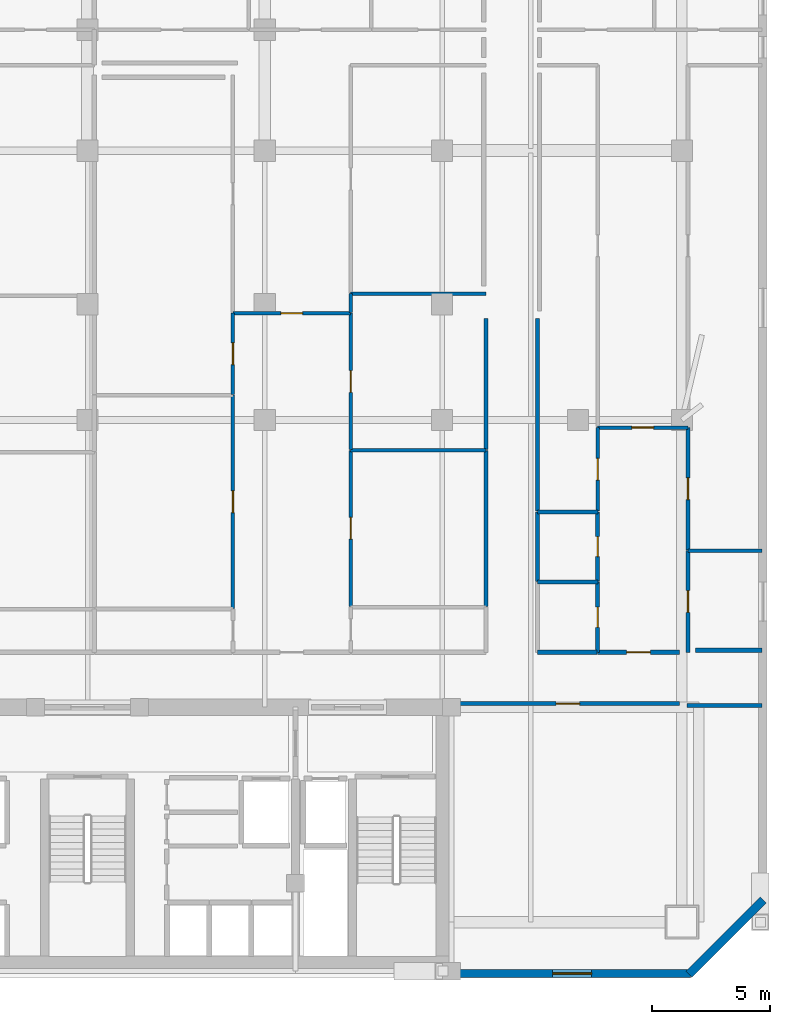
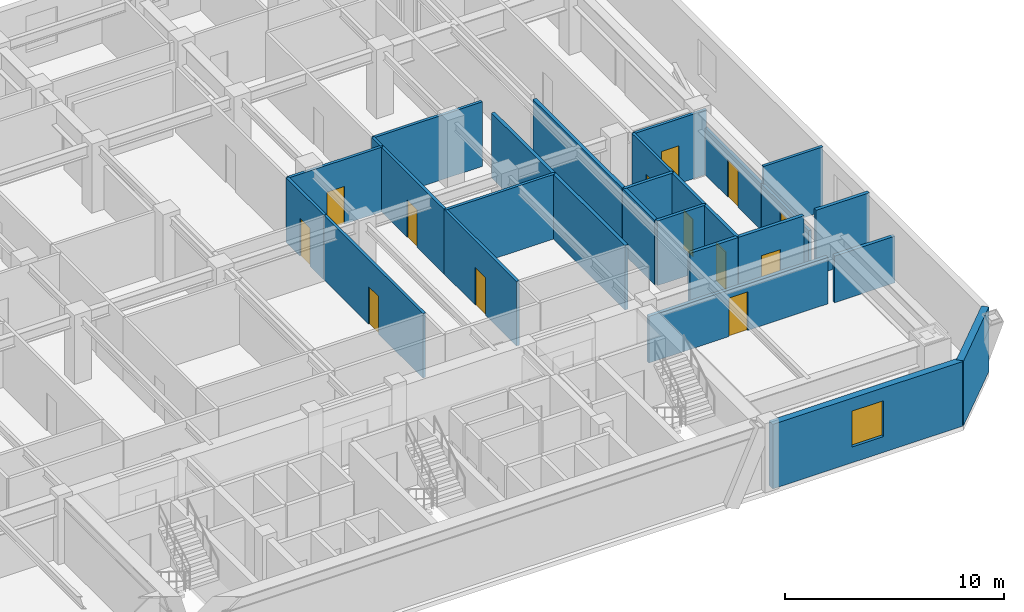
# One storey, part 6 of 10: 28 walls, 13 doors, 1 window, 14 openings.
"""IFC4 building model written with IfcOpenShell, lengths in metres."""

from ifc_helpers import new_model, si_unit, direction, frame, frame_2d, origin, place, context, subcontext, project, spatial, rectangle, extrude, material, layer, layer_set, type_object, element, fill, save


model = new_model("IFC4")

# Units and contexts
model_context = context("Model", 3, precision=1e-05, world=origin(), true_north=direction((0.0, 1.0)))
body_context = subcontext(model_context, "Body", "Model", "MODEL_VIEW")
ifc_project = project(units=[si_unit("LENGTHUNIT", "METRE"), si_unit("AREAUNIT", "SQUARE_METRE"), si_unit("VOLUMEUNIT", "CUBIC_METRE"), si_unit("PLANEANGLEUNIT", "RADIAN"), si_unit("MASSUNIT", "GRAM", prefix="KILO")], contexts=[model_context])

# Site, building, storey
site_placement = place(None, origin())
site = spatial("IfcSite", under=ifc_project, at=site_placement, CompositionType="ELEMENT")
building_placement = place(site_placement, origin())
building = spatial("IfcBuilding", under=site, at=building_placement, Name="Ventersveld Concourse Tower", CompositionType="ELEMENT")
storey_placement = place(building_placement, frame((0.0, 0.0, 88.75)))
storey = spatial("IfcBuildingStorey", under=building, at=storey_placement, Name="L21", CompositionType="ELEMENT", Elevation=88.75)

# Wall, opening, door
ifc_material_1 = material(Name="Fire-rated autoclaved aerated masonry blockwork", Category="masonry")
ifc_layer_1 = layer(ifc_material_1, 0.179931640625)
ifc_layer_set_1 = layer_set([ifc_layer_1], Name="Fire-rated autoclaved aerated masonry blockwork")
wall_type_1 = type_object("IfcWallType", Name="WL-CORR-180", PredefinedType="PARTITIONING", material=ifc_layer_set_1)
wall_1_placement = place(storey_placement, frame((44.35498046875, 11.60009765625, 0.0), z_axis=(0.0, 0.0, 1.0), x_axis=(1.0, 0.0, 0.0)))
wall_1 = element("IfcWall", 1, at=wall_1_placement, inside=storey, type_object=wall_type_1, Name="L21 Interior Partition SP-L21-SE-OFF-SP-L21-COR", PredefinedType="PARTITIONING", context=body_context, shape_type="SweptSolid", body=[
    extrude(rectangle(XDim=9.43994140625, YDim=0.179931640625, at=frame_2d((4.719970703125, 0.0))), origin(), (0.0, 0.0, 1.0), 2.60009765625),
])
opening_1_placement = place(wall_1_placement, frame((4.219970703125, 0.0, 0.0)))
opening_1 = element("IfcOpeningElement", 2, at=opening_1_placement, cuts=wall_1, Name="Opening FD3", PredefinedType="OPENING", context=body_context, shape_type="SweptSolid", body=[
    extrude(rectangle(XDim=1.0, YDim=2.14990234375, at=frame_2d((0.5, 1.074951171875))), frame((0.0, 0.10009765625, 0.0), z_axis=(0.0, -1.0, 0.0), x_axis=(1.0, 0.0, 0.0)), (0.0, 0.0, 1.0), 0.199951171875),
])
ifc_material_2 = material(Name="Solid-core hardwood veneer timber", Category="wood")
door_type_1 = type_object("IfcDoorType", Name="DR-FLAT-100", OperationType="NOTDEFINED", PredefinedType="DOOR", material=ifc_material_2)
door_1_placement = place(opening_1_placement, origin())
door_1 = element("IfcDoor", 3, at=door_1_placement, inside=storey, type_object=door_type_1, Name="L21 Interior Door SP-L21-SE-OFF to SP-L21-COR (D-L21-1009)", OperationType="SINGLE_SWING_LEFT", OverallHeight=2.14990234375, OverallWidth=1.0, PredefinedType="DOOR", context=body_context, shape_type="SweptSolid", body=[
    extrude(rectangle(XDim=1.0, YDim=2.14990234375, at=frame_2d((0.5, 1.074951171875))), frame((0.0, 0.02490234375, 0.0), z_axis=(0.0, -1.0, 0.0), x_axis=(1.0, 0.0, 0.0)), (0.0, 0.0, 1.0), 0.050048828125),
])
fill(opening_1, door_1)

wall_2_placement = place(storey_placement, frame((50.33203125, 13.77001953125, 0.0), z_axis=(0.0, 0.0, 1.0), x_axis=(1.0, 0.0, 0.0)))
wall_2 = element("IfcWall", 4, at=wall_2_placement, inside=storey, type_object=wall_type_1, Name="L21 Interior Partition SP-L21-COR-SP-L21-21NE-FOY", PredefinedType="PARTITIONING", context=body_context, shape_type="SweptSolid", body=[
    extrude(rectangle(XDim=3.462890625, YDim=0.179931640625, at=frame_2d((1.7314453125, 0.0))), origin(), (0.0, 0.0, 1.0), 3.60009765625),
])
opening_2_placement = place(wall_2_placement, frame((1.2314453125, 0.0, 0.0)))
opening_2 = element("IfcOpeningElement", 5, at=opening_2_placement, cuts=wall_2, Name="Opening FD3", PredefinedType="OPENING", context=body_context, shape_type="SweptSolid", body=[
    extrude(rectangle(XDim=1.0, YDim=2.14990234375, at=frame_2d((0.5, 1.074951171875))), frame((0.0, 0.10009765625, 0.0), z_axis=(0.0, -1.0, 0.0), x_axis=(1.0, 0.0, 0.0)), (0.0, 0.0, 1.0), 0.199951171875),
])
door_2_placement = place(opening_2_placement, origin())
door_2 = element("IfcDoor", 6, at=door_2_placement, inside=storey, type_object=door_type_1, Name="L21 Interior Door SP-L21-COR to SP-L21-21NE-FOY (FD-L21-1011)", OperationType="SINGLE_SWING_LEFT", OverallHeight=2.14990234375, OverallWidth=1.0, PredefinedType="DOOR", context=body_context, shape_type="SweptSolid", body=[
    extrude(rectangle(XDim=1.0, YDim=2.14990234375, at=frame_2d((0.5, 1.074951171875))), frame((0.0, 0.02490234375, 0.0), z_axis=(0.0, -1.0, 0.0), x_axis=(1.0, 0.0, 0.0)), (0.0, 0.0, 1.0), 0.050048828125),
])
fill(opening_2, door_2)

# Walls
wall_3_placement = place(storey_placement, frame((47.784912109375, 13.77001953125, 0.0), z_axis=(0.0, 0.0, 1.0), x_axis=(1.0, 0.0, 0.0)))
element("IfcWall", 7, at=wall_3_placement, inside=storey, type_object=wall_type_1, Name="L21 Interior Partition SP-L21-COR-SP-L21-21NE-BATH", PredefinedType="PARTITIONING", context=body_context, shape_type="SweptSolid", body=[
    extrude(rectangle(XDim=2.51708984375, YDim=0.179931640625, at=frame_2d((1.258544921875, 0.0))), origin(), (0.0, 0.0, 1.0), 3.60009765625),
])
wall_4_placement = place(storey_placement, frame((47.7900390625, 16.773193359375, 0.0), z_axis=(0.0, 0.0, 1.0), x_axis=(0.0, 1.0, 0.0)))
element("IfcWall", 8, at=wall_4_placement, inside=storey, type_object=wall_type_1, Name="L21 Interior Partition SP-L21-COR-SP-L21-21NE-PWDL0", PredefinedType="PARTITIONING", context=body_context, shape_type="SweptSolid", body=[
    extrude(rectangle(XDim=2.938232421875, YDim=0.179931640625, at=frame_2d((1.46923828125, 0.0))), origin(), (0.0, 0.0, 1.0), 3.60009765625),
])
wall_5_placement = place(storey_placement, frame((47.7900390625, 19.741455078125, 0.0), z_axis=(0.0, 0.0, 1.0), x_axis=(0.0, 1.0, 0.0)))
element("IfcWall", 9, at=wall_5_placement, inside=storey, type_object=wall_type_1, Name="L21 Interior Partition SP-L21-COR-SP-L21-21NE-DENL", PredefinedType="PARTITIONING", context=body_context, shape_type="SweptSolid", body=[
    extrude(rectangle(XDim=8.153564453125, YDim=0.179931640625, at=frame_2d((4.07666015625, 0.0))), origin(), (0.0, 0.0, 1.0), 3.60009765625),
])
wall_6_placement = place(storey_placement, frame((45.610107421875, 15.715087890625, 0.0), z_axis=(0.0, 0.0, 1.0), x_axis=(0.0, 1.0, 0.0)))
element("IfcWall", 10, at=wall_6_placement, inside=storey, type_object=wall_type_1, Name="L21 Interior Partition SP-L21-COR-SP-L21-21N2-DENR", PredefinedType="PARTITIONING", context=body_context, shape_type="SweptSolid", body=[
    extrude(rectangle(XDim=6.60302734375, YDim=0.179931640625, at=frame_2d((3.301513671875, 0.0))), origin(), (0.0, 0.0, 1.0), 3.60009765625),
])
wall_7_placement = place(storey_placement, frame((45.610107421875, 22.34814453125, 0.0), z_axis=(0.0, 0.0, 1.0), x_axis=(0.0, 1.0, 0.0)))
element("IfcWall", 11, at=wall_7_placement, inside=storey, type_object=wall_type_1, Name="L21 Interior Partition SP-L21-COR-SP-L21-21N2-DENS", PredefinedType="PARTITIONING", context=body_context, shape_type="SweptSolid", body=[
    extrude(rectangle(XDim=5.546875, YDim=0.179931640625, at=frame_2d((2.7734375, 0.0))), origin(), (0.0, 0.0, 1.0), 3.60009765625),
])
wall_8_placement = place(storey_placement, frame((54.1123046875, 11.52001953125, 0.0), z_axis=(0.0, 0.0, 1.0), x_axis=(1.0, 0.0, 0.0)))
element("IfcWall", 12, at=wall_8_placement, inside=storey, type_object=wall_type_1, Name="L21 Room Enclosure Wall SP-L21-SE-OFF", PredefinedType="PARTITIONING", context=body_context, shape_type="SweptSolid", body=[
    extrude(rectangle(XDim=3.177734375, YDim=0.179931640625, at=frame_2d((1.5888671875, 0.0))), origin(), (0.0, 0.0, 1.0), 2.60009765625),
])
wall_9_placement = place(storey_placement, frame((57.2900390625, 13.860107421875, 0.0), z_axis=(0.0, 0.0, 1.0), x_axis=(-1.0, 0.0, 0.0)))
element("IfcWall", 13, at=wall_9_placement, inside=storey, type_object=wall_type_1, Name="L21 Room Enclosure Wall SP-L21-21NE-KIT", PredefinedType="PARTITIONING", context=body_context, shape_type="SweptSolid", body=[
    extrude(rectangle(XDim=2.805908203125, YDim=0.179931640625, at=frame_2d((1.40283203125, 0.0))), origin(), (0.0, 0.0, 1.0), 3.60009765625),
])

# Wall, opening, door
ifc_material_3 = material(Name="Autoclaved aerated masonry blockwork", Category="masonry")
ifc_layer_2 = layer(ifc_material_3, 0.14990234375)
ifc_layer_set_2 = layer_set([ifc_layer_2], Name="Autoclaved aerated masonry blockwork")
wall_type_2 = type_object("IfcWallType", Name="WL-INT-150", PredefinedType="PARTITIONING", material=ifc_layer_set_2)
wall_10_placement = place(storey_placement, frame((50.33203125, 23.2822265625, 0.0), z_axis=(0.0, 0.0, 1.0), x_axis=(1.0, 0.0, 0.0)))
wall_10 = element("IfcWall", 14, at=wall_10_placement, inside=storey, type_object=wall_type_2, Name="L21 Interior Partition SP-L21-21NE-FOY-SP-L21-21NE-LIV", PredefinedType="PARTITIONING", context=body_context, shape_type="SweptSolid", body=[
    extrude(rectangle(XDim=3.83203125, YDim=0.14990234375, at=frame_2d((1.916015625, 0.0))), origin(), (0.0, 0.0, 1.0), 3.60009765625),
])
opening_3_placement = place(wall_10_placement, frame((1.4560546875, 0.0, 0.0)))
opening_3 = element("IfcOpeningElement", 15, at=opening_3_placement, cuts=wall_10, Name="Opening ID1", PredefinedType="OPENING", context=body_context, shape_type="SweptSolid", body=[
    extrude(rectangle(XDim=0.919921875, YDim=2.10009765625, at=frame_2d((0.4599609375, 1.050048828125))), frame((0.0, 0.0849609375, 0.0), z_axis=(0.0, -1.0, 0.0), x_axis=(1.0, 0.0, 0.0)), (0.0, 0.0, 1.0), 0.169921875),
])
door_type_2 = type_object("IfcDoorType", Name="DR-ROOM-092", OperationType="NOTDEFINED", PredefinedType="DOOR", material=ifc_material_2)
door_3_placement = place(opening_3_placement, origin())
door_3 = element("IfcDoor", 16, at=door_3_placement, inside=storey, type_object=door_type_2, Name="L21 Interior Door SP-L21-21NE-FOY to SP-L21-21NE-LIV (D-L21-1025)", OperationType="SINGLE_SWING_LEFT", OverallHeight=2.10009765625, OverallWidth=0.919921875, PredefinedType="DOOR", context=body_context, shape_type="SweptSolid", body=[
    extrude(rectangle(XDim=0.919921875, YDim=2.10009765625, at=frame_2d((0.4599609375, 1.050048828125))), frame((0.0, 0.02490234375, 0.0), z_axis=(0.0, -1.0, 0.0), x_axis=(1.0, 0.0, 0.0)), (0.0, 0.0, 1.0), 0.050048828125),
])
fill(opening_3, door_3)

wall_11_placement = place(storey_placement, frame((50.337158203125, 19.741455078125, 0.0), z_axis=(0.0, 0.0, 1.0), x_axis=(0.0, 1.0, 0.0)))
wall_11 = element("IfcWall", 17, at=wall_11_placement, inside=storey, type_object=wall_type_2, Name="L21 Interior Partition SP-L21-21NE-FOY-SP-L21-21NE-DENL", PredefinedType="PARTITIONING", context=body_context, shape_type="SweptSolid", body=[
    extrude(rectangle(XDim=3.545654296875, YDim=0.14990234375, at=frame_2d((1.77294921875, 0.0))), origin(), (0.0, 0.0, 1.0), 3.60009765625),
])
opening_4_placement = place(wall_11_placement, frame((1.31298828125, 0.0, 0.0)))
opening_4 = element("IfcOpeningElement", 18, at=opening_4_placement, cuts=wall_11, Name="Opening ID1", PredefinedType="OPENING", context=body_context, shape_type="SweptSolid", body=[
    extrude(rectangle(XDim=0.919921875, YDim=2.10009765625, at=frame_2d((0.4599609375, 1.050048828125))), frame((0.0, 0.0849609375, 0.0), z_axis=(0.0, -1.0, 0.0), x_axis=(1.0, 0.0, 0.0)), (0.0, 0.0, 1.0), 0.169921875),
])
door_4_placement = place(opening_4_placement, origin())
door_4 = element("IfcDoor", 19, at=door_4_placement, inside=storey, type_object=door_type_2, Name="L21 Interior Door SP-L21-21NE-FOY to SP-L21-21NE-DENL (D-L21-1028)", OperationType="SINGLE_SWING_RIGHT", OverallHeight=2.10009765625, OverallWidth=0.919921875, PredefinedType="DOOR", context=body_context, shape_type="SweptSolid", body=[
    extrude(rectangle(XDim=0.919921875, YDim=2.10009765625, at=frame_2d((0.4599609375, 1.050048828125))), frame((0.0, 0.02490234375, 0.0), z_axis=(0.0, -1.0, 0.0), x_axis=(1.0, 0.0, 0.0)), (0.0, 0.0, 1.0), 0.050048828125),
])
fill(opening_4, door_4)

wall_12_placement = place(storey_placement, frame((54.1591796875, 13.764892578125, 0.0), z_axis=(0.0, 0.0, 1.0), x_axis=(0.0, 1.0, 0.0)))
wall_12 = element("IfcWall", 20, at=wall_12_placement, inside=storey, type_object=wall_type_2, Name="L21 Interior Partition SP-L21-21NE-FOY-SP-L21-21NE-KIT", PredefinedType="PARTITIONING", context=body_context, shape_type="SweptSolid", body=[
    extrude(rectangle(XDim=4.30859375, YDim=0.14990234375, at=frame_2d((2.154296875, 0.0))), origin(), (0.0, 0.0, 1.0), 2.60009765625),
])
opening_5_placement = place(wall_12_placement, frame((1.6943359375, 0.0, 0.0)))
opening_5 = element("IfcOpeningElement", 21, at=opening_5_placement, cuts=wall_12, Name="Opening ID1", PredefinedType="OPENING", context=body_context, shape_type="SweptSolid", body=[
    extrude(rectangle(XDim=0.919921875, YDim=2.10009765625, at=frame_2d((0.4599609375, 1.050048828125))), frame((0.0, 0.0849609375, 0.0), z_axis=(0.0, -1.0, 0.0), x_axis=(1.0, 0.0, 0.0)), (0.0, 0.0, 1.0), 0.169921875),
])
door_5_placement = place(opening_5_placement, origin())
door_5 = element("IfcDoor", 22, at=door_5_placement, inside=storey, type_object=door_type_2, Name="L21 Interior Door SP-L21-21NE-FOY to SP-L21-21NE-KIT (D-L21-1029)", OperationType="SINGLE_SWING_LEFT", OverallHeight=2.10009765625, OverallWidth=0.919921875, PredefinedType="DOOR", context=body_context, shape_type="SweptSolid", body=[
    extrude(rectangle(XDim=0.919921875, YDim=2.10009765625, at=frame_2d((0.4599609375, 1.050048828125))), frame((0.0, 0.02490234375, 0.0), z_axis=(0.0, -1.0, 0.0), x_axis=(1.0, 0.0, 0.0)), (0.0, 0.0, 1.0), 0.050048828125),
])
fill(opening_5, door_5)

wall_13_placement = place(storey_placement, frame((54.1591796875, 18.103515625, 0.0), z_axis=(0.0, 0.0, 1.0), x_axis=(0.0, 1.0, 0.0)))
wall_13 = element("IfcWall", 23, at=wall_13_placement, inside=storey, type_object=wall_type_2, Name="L21 Interior Partition SP-L21-21NE-FOY-SP-L21-21NE-DENR", PredefinedType="PARTITIONING", context=body_context, shape_type="SweptSolid", body=[
    extrude(rectangle(XDim=5.18359375, YDim=0.14990234375, at=frame_2d((2.591796875, 0.0))), origin(), (0.0, 0.0, 1.0), 2.60009765625),
])
opening_6_placement = place(wall_13_placement, frame((2.1318359375, 0.0, 0.0)))
opening_6 = element("IfcOpeningElement", 24, at=opening_6_placement, cuts=wall_13, Name="Opening ID1", PredefinedType="OPENING", context=body_context, shape_type="SweptSolid", body=[
    extrude(rectangle(XDim=0.919921875, YDim=2.10009765625, at=frame_2d((0.4599609375, 1.050048828125))), frame((0.0, 0.0849609375, 0.0), z_axis=(0.0, -1.0, 0.0), x_axis=(1.0, 0.0, 0.0)), (0.0, 0.0, 1.0), 0.169921875),
])
door_6_placement = place(opening_6_placement, origin())
door_6 = element("IfcDoor", 25, at=door_6_placement, inside=storey, type_object=door_type_2, Name="L21 Interior Door SP-L21-21NE-FOY to SP-L21-21NE-DENR (D-L21-1030)", OperationType="SINGLE_SWING_RIGHT", OverallHeight=2.10009765625, OverallWidth=0.919921875, PredefinedType="DOOR", context=body_context, shape_type="SweptSolid", body=[
    extrude(rectangle(XDim=0.919921875, YDim=2.10009765625, at=frame_2d((0.4599609375, 1.050048828125))), frame((0.0, 0.02490234375, 0.0), z_axis=(0.0, -1.0, 0.0), x_axis=(1.0, 0.0, 0.0)), (0.0, 0.0, 1.0), 0.050048828125),
])
fill(opening_6, door_6)

# Wall
wall_14_placement = place(storey_placement, frame((54.154052734375, 18.068603515625, 0.0), z_axis=(0.0, 0.0, 1.0), x_axis=(1.0, 0.0, 0.0)))
element("IfcWall", 26, at=wall_14_placement, inside=storey, type_object=wall_type_2, Name="L21 Interior Partition SP-L21-21NE-KIT-SP-L21-21NE-DENR", PredefinedType="PARTITIONING", context=body_context, shape_type="SweptSolid", body=[
    extrude(rectangle(XDim=3.135986328125, YDim=0.14990234375, at=frame_2d((1.56787109375, 0.0))), origin(), (0.0, 0.0, 1.0), 3.60009765625),
])

# Wall, opening, door
wall_15_placement = place(storey_placement, frame((34.896484375, 28.11669921875, 0.0), z_axis=(0.0, 0.0, 1.0), x_axis=(1.0, 0.0, 0.0)))
wall_15 = element("IfcWall", 27, at=wall_15_placement, inside=storey, type_object=wall_type_2, Name="L21 Interior Partition SP-L21-21N2-FOY-SP-L21-21N2-LIV", PredefinedType="PARTITIONING", context=body_context, shape_type="SweptSolid", body=[
    extrude(rectangle(XDim=4.990234375, YDim=0.14990234375, at=frame_2d((2.4951171875, 0.0))), origin(), (0.0, 0.0, 1.0), 3.60009765625),
])
opening_7_placement = place(wall_15_placement, frame((2.034912109375, 0.0, 0.0)))
opening_7 = element("IfcOpeningElement", 28, at=opening_7_placement, cuts=wall_15, Name="Opening ID1", PredefinedType="OPENING", context=body_context, shape_type="SweptSolid", body=[
    extrude(rectangle(XDim=0.919921875, YDim=2.10009765625, at=frame_2d((0.4599609375, 1.050048828125))), frame((0.0, 0.0849609375, 0.0), z_axis=(0.0, -1.0, 0.0), x_axis=(1.0, 0.0, 0.0)), (0.0, 0.0, 1.0), 0.169921875),
])
door_7_placement = place(opening_7_placement, origin())
door_7 = element("IfcDoor", 29, at=door_7_placement, inside=storey, type_object=door_type_2, Name="L21 Interior Door SP-L21-21N2-FOY to SP-L21-21N2-LIV (D-L21-1047)", OperationType="SINGLE_SWING_LEFT", OverallHeight=2.10009765625, OverallWidth=0.919921875, PredefinedType="DOOR", context=body_context, shape_type="SweptSolid", body=[
    extrude(rectangle(XDim=0.919921875, YDim=2.10009765625, at=frame_2d((0.4599609375, 1.050048828125))), frame((0.0, 0.02490234375, 0.0), z_axis=(0.0, -1.0, 0.0), x_axis=(1.0, 0.0, 0.0)), (0.0, 0.0, 1.0), 0.050048828125),
])
fill(opening_7, door_7)

wall_16_placement = place(storey_placement, frame((34.901611328125, 15.635009765625, 0.0), z_axis=(0.0, 0.0, 1.0), x_axis=(0.0, 1.0, 0.0)))
wall_16 = element("IfcWall", 30, at=wall_16_placement, inside=storey, type_object=wall_type_2, Name="L21 Interior Partition SP-L21-21N2-FOY-SP-L21-21N2-DENL", PredefinedType="PARTITIONING", context=body_context, shape_type="SweptSolid", body=[
    extrude(rectangle(XDim=9.019775390625, YDim=0.14990234375, at=frame_2d((4.509765625, 0.0))), origin(), (0.0, 0.0, 1.0), 3.60009765625),
])
opening_8_placement = place(wall_16_placement, frame((4.050048828125, 0.0, 0.0)))
opening_8 = element("IfcOpeningElement", 31, at=opening_8_placement, cuts=wall_16, Name="Opening ID1", PredefinedType="OPENING", context=body_context, shape_type="SweptSolid", body=[
    extrude(rectangle(XDim=0.919921875, YDim=2.10009765625, at=frame_2d((0.4599609375, 1.050048828125))), frame((0.0, 0.0849609375, 0.0), z_axis=(0.0, -1.0, 0.0), x_axis=(1.0, 0.0, 0.0)), (0.0, 0.0, 1.0), 0.169921875),
])
door_8_placement = place(opening_8_placement, origin())
door_8 = element("IfcDoor", 32, at=door_8_placement, inside=storey, type_object=door_type_2, Name="L21 Interior Door SP-L21-21N2-FOY to SP-L21-21N2-DENL (D-L21-1049)", OperationType="SINGLE_SWING_LEFT", OverallHeight=2.10009765625, OverallWidth=0.919921875, PredefinedType="DOOR", context=body_context, shape_type="SweptSolid", body=[
    extrude(rectangle(XDim=0.919921875, YDim=2.10009765625, at=frame_2d((0.4599609375, 1.050048828125))), frame((0.0, 0.02490234375, 0.0), z_axis=(0.0, -1.0, 0.0), x_axis=(1.0, 0.0, 0.0)), (0.0, 0.0, 1.0), 0.050048828125),
])
fill(opening_8, door_8)

wall_17_placement = place(storey_placement, frame((34.901611328125, 24.684814453125, 0.0), z_axis=(0.0, 0.0, 1.0), x_axis=(0.0, 1.0, 0.0)))
wall_17 = element("IfcWall", 33, at=wall_17_placement, inside=storey, type_object=wall_type_2, Name="L21 Interior Partition SP-L21-21N2-FOY-SP-L21-21N2-DENL2", PredefinedType="PARTITIONING", context=body_context, shape_type="SweptSolid", body=[
    extrude(rectangle(XDim=3.436767578125, YDim=0.14990234375, at=frame_2d((1.71826171875, 0.0))), origin(), (0.0, 0.0, 1.0), 3.60009765625),
])
opening_9_placement = place(wall_17_placement, frame((1.25830078125, 0.0, 0.0)))
opening_9 = element("IfcOpeningElement", 34, at=opening_9_placement, cuts=wall_17, Name="Opening ID1", PredefinedType="OPENING", context=body_context, shape_type="SweptSolid", body=[
    extrude(rectangle(XDim=0.919921875, YDim=2.10009765625, at=frame_2d((0.4599609375, 1.050048828125))), frame((0.0, 0.0849609375, 0.0), z_axis=(0.0, -1.0, 0.0), x_axis=(1.0, 0.0, 0.0)), (0.0, 0.0, 1.0), 0.169921875),
])
door_9_placement = place(opening_9_placement, origin())
door_9 = element("IfcDoor", 35, at=door_9_placement, inside=storey, type_object=door_type_2, Name="L21 Interior Door SP-L21-21N2-FOY to SP-L21-21N2-DENL2 (D-L21-1050)", OperationType="SINGLE_SWING_RIGHT", OverallHeight=2.10009765625, OverallWidth=0.919921875, PredefinedType="DOOR", context=body_context, shape_type="SweptSolid", body=[
    extrude(rectangle(XDim=0.919921875, YDim=2.10009765625, at=frame_2d((0.4599609375, 1.050048828125))), frame((0.0, 0.02490234375, 0.0), z_axis=(0.0, -1.0, 0.0), x_axis=(1.0, 0.0, 0.0)), (0.0, 0.0, 1.0), 0.050048828125),
])
fill(opening_9, door_9)

wall_18_placement = place(storey_placement, frame((39.881591796875, 15.715087890625, 0.0), z_axis=(0.0, 0.0, 1.0), x_axis=(0.0, 1.0, 0.0)))
wall_18 = element("IfcWall", 36, at=wall_18_placement, inside=storey, type_object=wall_type_2, Name="L21 Interior Partition SP-L21-21N2-FOY-SP-L21-21N2-DENR", PredefinedType="PARTITIONING", context=body_context, shape_type="SweptSolid", body=[
    extrude(rectangle(XDim=6.60302734375, YDim=0.14990234375, at=frame_2d((3.301513671875, 0.0))), origin(), (0.0, 0.0, 1.0), 3.60009765625),
])
opening_10_placement = place(wall_18_placement, frame((2.841552734375, 0.0, 0.0)))
opening_10 = element("IfcOpeningElement", 37, at=opening_10_placement, cuts=wall_18, Name="Opening ID1", PredefinedType="OPENING", context=body_context, shape_type="SweptSolid", body=[
    extrude(rectangle(XDim=0.919921875, YDim=2.10009765625, at=frame_2d((0.4599609375, 1.050048828125))), frame((0.0, 0.0849609375, 0.0), z_axis=(0.0, -1.0, 0.0), x_axis=(1.0, 0.0, 0.0)), (0.0, 0.0, 1.0), 0.169921875),
])
door_10_placement = place(opening_10_placement, origin())
door_10 = element("IfcDoor", 38, at=door_10_placement, inside=storey, type_object=door_type_2, Name="L21 Interior Door SP-L21-21N2-FOY to SP-L21-21N2-DENR (D-L21-1052)", OperationType="SINGLE_SWING_RIGHT", OverallHeight=2.10009765625, OverallWidth=0.919921875, PredefinedType="DOOR", context=body_context, shape_type="SweptSolid", body=[
    extrude(rectangle(XDim=0.919921875, YDim=2.10009765625, at=frame_2d((0.4599609375, 1.050048828125))), frame((0.0, 0.02490234375, 0.0), z_axis=(0.0, -1.0, 0.0), x_axis=(1.0, 0.0, 0.0)), (0.0, 0.0, 1.0), 0.050048828125),
])
fill(opening_10, door_10)

wall_19_placement = place(storey_placement, frame((39.881591796875, 22.34814453125, 0.0), z_axis=(0.0, 0.0, 1.0), x_axis=(0.0, 1.0, 0.0)))
wall_19 = element("IfcWall", 39, at=wall_19_placement, inside=storey, type_object=wall_type_2, Name="L21 Interior Partition SP-L21-21N2-FOY-SP-L21-21N2-DENS", PredefinedType="PARTITIONING", context=body_context, shape_type="SweptSolid", body=[
    extrude(rectangle(XDim=5.7734375, YDim=0.14990234375, at=frame_2d((2.88671875, 0.0))), origin(), (0.0, 0.0, 1.0), 3.60009765625),
])
opening_11_placement = place(wall_19_placement, frame((2.4267578125, 0.0, 0.0)))
opening_11 = element("IfcOpeningElement", 40, at=opening_11_placement, cuts=wall_19, Name="Opening ID1", PredefinedType="OPENING", context=body_context, shape_type="SweptSolid", body=[
    extrude(rectangle(XDim=0.919921875, YDim=2.10009765625, at=frame_2d((0.4599609375, 1.050048828125))), frame((0.0, 0.0849609375, 0.0), z_axis=(0.0, -1.0, 0.0), x_axis=(1.0, 0.0, 0.0)), (0.0, 0.0, 1.0), 0.169921875),
])
door_11_placement = place(opening_11_placement, origin())
door_11 = element("IfcDoor", 41, at=door_11_placement, inside=storey, type_object=door_type_2, Name="L21 Interior Door SP-L21-21N2-FOY to SP-L21-21N2-DENS (D-L21-1053)", OperationType="SINGLE_SWING_LEFT", OverallHeight=2.10009765625, OverallWidth=0.919921875, PredefinedType="DOOR", context=body_context, shape_type="SweptSolid", body=[
    extrude(rectangle(XDim=0.919921875, YDim=2.10009765625, at=frame_2d((0.4599609375, 1.050048828125))), frame((0.0, 0.02490234375, 0.0), z_axis=(0.0, -1.0, 0.0), x_axis=(1.0, 0.0, 0.0)), (0.0, 0.0, 1.0), 0.050048828125),
])
fill(opening_11, door_11)

# Walls
wall_20_placement = place(storey_placement, frame((39.881591796875, 28.151611328125, 0.0), z_axis=(0.0, 0.0, 1.0), x_axis=(0.0, 1.0, 0.0)))
element("IfcWall", 42, at=wall_20_placement, inside=storey, type_object=wall_type_2, Name="L21 Interior Partition SP-L21-21N2-LIV-SP-L21-21N2-DENS", PredefinedType="PARTITIONING", context=body_context, shape_type="SweptSolid", body=[
    extrude(rectangle(XDim=0.79931640625, YDim=0.14990234375, at=frame_2d((0.399658203125, 0.0))), origin(), (0.0, 0.0, 1.0), 3.60009765625),
])
for number, where, z_axis, x_axis, name in (
    (43, (39.876708984375, 22.31298828125, 0.0), (0.0, 0.0, 1.0), (1.0, 0.0, 0.0), "L21 Interior Partition SP-L21-21N2-DENR-SP-L21-21N2-DENS"),
    (44, (39.876708984375, 28.946044921875, 0.0), (0.0, 0.0, 1.0), (1.0, 0.0, 0.0), "L21 Interior Partition SP-L21-21N2-DENS-SP-L21-21N2-DENS2"),
):
    element("IfcWall", number, at=place(storey_placement, frame(where, z_axis=z_axis, x_axis=x_axis)), inside=storey, type_object=wall_type_2, Name=name, PredefinedType="PARTITIONING", context=body_context, shape_type="SweptSolid", body=[
        extrude(rectangle(XDim=5.73828125, YDim=0.14990234375, at=frame_2d((2.869140625, 0.0))), origin(), (0.0, 0.0, 1.0), 3.60009765625),
    ])

# Wall, opening, window
ifc_material_4 = material(Name="Precast concrete C45/55", Category="concrete")
ifc_layer_3 = layer(ifc_material_4, 0.35009765625)
ifc_layer_set_3 = layer_set([ifc_layer_3], Name="Precast concrete C45/55")
wall_type_3 = type_object("IfcWallType", Name="WL-PREC-350", PredefinedType="SOLIDWALL", material=ifc_layer_set_3)
wall_21_placement = place(storey_placement, frame((44.25, 0.179931640625, 0.0), z_axis=(0.0, 0.0, 1.0), x_axis=(1.0, 0.0, 0.0)))
wall_21 = element("IfcWall", 45, at=wall_21_placement, inside=storey, type_object=wall_type_3, Name="L21 South-East Flank Precast Wall", PredefinedType="SOLIDWALL", context=body_context, shape_type="SweptSolid", body=[
    extrude(rectangle(XDim=10.010009765625, YDim=0.35009765625, at=frame_2d((5.0048828125, 0.0))), origin(), (0.0, 0.0, 1.0), 3.60009765625),
])
opening_12_placement = place(wall_21_placement, frame((4.179931640625, 0.0, 0.8798828125)))
opening_12 = element("IfcOpeningElement", 46, at=opening_12_placement, cuts=wall_21, Name="Opening W6", PredefinedType="OPENING", context=body_context, shape_type="SweptSolid", body=[
    extrude(rectangle(XDim=1.64990234375, YDim=2.0, at=frame_2d((0.824951171875, 1.0))), frame((0.0, 0.18505859375, 0.0), z_axis=(0.0, -1.0, 0.0), x_axis=(1.0, 0.0, 0.0)), (0.0, 0.0, 1.0), 0.3701171875),
])
ifc_material_5 = material(Name="Tempered acoustic Low-E IGU", Category="glass")
window_type = type_object("IfcWindowType", Name="WIN-165x200", PartitioningType="SINGLE_PANEL", PredefinedType="WINDOW", material=ifc_material_5)
window_placement = place(opening_12_placement, origin())
window = element("IfcWindow", 47, at=window_placement, inside=storey, type_object=window_type, Name="L21 Punched Low-E Window W-0225", OverallHeight=2.0, OverallWidth=1.64990234375, PartitioningType="SINGLE_PANEL", PredefinedType="WINDOW", context=body_context, shape_type="SweptSolid", body=[
    extrude(rectangle(XDim=1.64990234375, YDim=2.0, at=frame_2d((0.824951171875, 1.0))), frame((0.0, 0.030029296875, 0.0), z_axis=(0.0, -1.0, 0.0), x_axis=(1.0, 0.0, 0.0)), (0.0, 0.0, 1.0), 0.06005859375),
])
fill(opening_12, window)

# Wall
wall_22_placement = place(storey_placement, frame((54.20458984375, 0.152099609375, 0.0), z_axis=(0.0, 0.0, 1.0), x_axis=(0.707106781187, 0.707106781187, 0.0)))
element("IfcWall", 48, at=wall_22_placement, inside=storey, type_object=wall_type_3, Name="L21 Highveld Precast Facade Wall E02", PredefinedType="SOLIDWALL", context=body_context, shape_type="SweptSolid", body=[
    extrude(rectangle(XDim=4.4453125, YDim=0.35009765625, at=frame_2d((2.22265625, 0.0))), origin(), (0.0, 0.0, 1.0), 3.60009765625),
])

# Wall, opening, door
ifc_layer_4 = layer(ifc_material_3, 0.1650390625)
ifc_layer_set_4 = layer_set([ifc_layer_4], Name="Autoclaved aerated masonry blockwork")
wall_type_4 = type_object("IfcWallType", Name="WL-WET-165", PredefinedType="PLUMBINGWALL", material=ifc_layer_set_4)
wall_23_placement = place(storey_placement, frame((50.337158203125, 13.764892578125, 0.0), z_axis=(0.0, 0.0, 1.0), x_axis=(0.0, 1.0, 0.0)))
wall_23 = element("IfcWall", 49, at=wall_23_placement, inside=storey, type_object=wall_type_4, Name="L21 Interior Partition SP-L21-21NE-FOY-SP-L21-21NE-BATH", PredefinedType="PLUMBINGWALL", context=body_context, shape_type="SweptSolid", body=[
    extrude(rectangle(XDim=2.978271484375, YDim=0.1650390625, at=frame_2d((1.4892578125, 0.0))), origin(), (0.0, 0.0, 1.0), 3.60009765625),
])
opening_13_placement = place(wall_23_placement, frame((1.064208984375, 0.0, 0.0)))
opening_13 = element("IfcOpeningElement", 50, at=opening_13_placement, cuts=wall_23, Name="Opening ID2", PredefinedType="OPENING", context=body_context, shape_type="SweptSolid", body=[
    extrude(rectangle(XDim=0.85009765625, YDim=2.10009765625, at=frame_2d((0.425048828125, 1.050048828125))), frame((0.0, 0.092529296875, 0.0), z_axis=(0.0, -1.0, 0.0), x_axis=(1.0, 0.0, 0.0)), (0.0, 0.0, 1.0), 0.18505859375),
])
door_type_3 = type_object("IfcDoorType", Name="DR-BATH-085", OperationType="NOTDEFINED", PredefinedType="DOOR", material=ifc_material_2)
door_12_placement = place(opening_13_placement, origin())
door_12 = element("IfcDoor", 51, at=door_12_placement, inside=storey, type_object=door_type_3, Name="L21 Interior Door SP-L21-21NE-FOY to SP-L21-21NE-BATH (D-L21-1026)", OperationType="SINGLE_SWING_RIGHT", OverallHeight=2.10009765625, OverallWidth=0.85009765625, PredefinedType="DOOR", context=body_context, shape_type="SweptSolid", body=[
    extrude(rectangle(XDim=0.85009765625, YDim=2.10009765625, at=frame_2d((0.425048828125, 1.050048828125))), frame((0.0, 0.02490234375, 0.0), z_axis=(0.0, -1.0, 0.0), x_axis=(1.0, 0.0, 0.0)), (0.0, 0.0, 1.0), 0.050048828125),
])
fill(opening_13, door_12)

wall_24_placement = place(storey_placement, frame((50.337158203125, 16.773193359375, 0.0), z_axis=(0.0, 0.0, 1.0), x_axis=(0.0, 1.0, 0.0)))
wall_24 = element("IfcWall", 52, at=wall_24_placement, inside=storey, type_object=wall_type_4, Name="L21 Interior Partition SP-L21-21NE-FOY-SP-L21-21NE-PWDL0", PredefinedType="PLUMBINGWALL", context=body_context, shape_type="SweptSolid", body=[
    extrude(rectangle(XDim=2.938232421875, YDim=0.1650390625, at=frame_2d((1.46923828125, 0.0))), origin(), (0.0, 0.0, 1.0), 3.60009765625),
])
opening_14_placement = place(wall_24_placement, frame((1.044189453125, 0.0, 0.0)))
opening_14 = element("IfcOpeningElement", 53, at=opening_14_placement, cuts=wall_24, Name="Opening ID2", PredefinedType="OPENING", context=body_context, shape_type="SweptSolid", body=[
    extrude(rectangle(XDim=0.85009765625, YDim=2.10009765625, at=frame_2d((0.425048828125, 1.050048828125))), frame((0.0, 0.092529296875, 0.0), z_axis=(0.0, -1.0, 0.0), x_axis=(1.0, 0.0, 0.0)), (0.0, 0.0, 1.0), 0.18505859375),
])
door_13_placement = place(opening_14_placement, origin())
door_13 = element("IfcDoor", 54, at=door_13_placement, inside=storey, type_object=door_type_3, Name="L21 Interior Door SP-L21-21NE-FOY to SP-L21-21NE-PWDL0 (D-L21-1027)", OperationType="SINGLE_SWING_LEFT", OverallHeight=2.10009765625, OverallWidth=0.85009765625, PredefinedType="DOOR", context=body_context, shape_type="SweptSolid", body=[
    extrude(rectangle(XDim=0.85009765625, YDim=2.10009765625, at=frame_2d((0.425048828125, 1.050048828125))), frame((0.0, 0.02490234375, 0.0), z_axis=(0.0, -1.0, 0.0), x_axis=(1.0, 0.0, 0.0)), (0.0, 0.0, 1.0), 0.050048828125),
])
fill(opening_14, door_13)

# Walls
for number, where, z_axis, x_axis, name in (
    (55, (47.784912109375, 16.73828125, 0.0), (0.0, 0.0, 1.0), (1.0, 0.0, 0.0), "L21 Interior Partition SP-L21-21NE-BATH-SP-L21-21NE-PWDL0"),
    (56, (47.784912109375, 19.706298828125, 0.0), (0.0, 0.0, 1.0), (1.0, 0.0, 0.0), "L21 Interior Partition SP-L21-21NE-PWDL0-SP-L21-21NE-DENL"),
):
    element("IfcWall", number, at=place(storey_placement, frame(where, z_axis=z_axis, x_axis=x_axis)), inside=storey, type_object=wall_type_4, Name=name, PredefinedType="PLUMBINGWALL", context=body_context, shape_type="SweptSolid", body=[
        extrude(rectangle(XDim=2.55712890625, YDim=0.1650390625, at=frame_2d((1.278564453125, 0.0))), origin(), (0.0, 0.0, 1.0), 3.60009765625),
    ])

save(model, "model.ifc")
